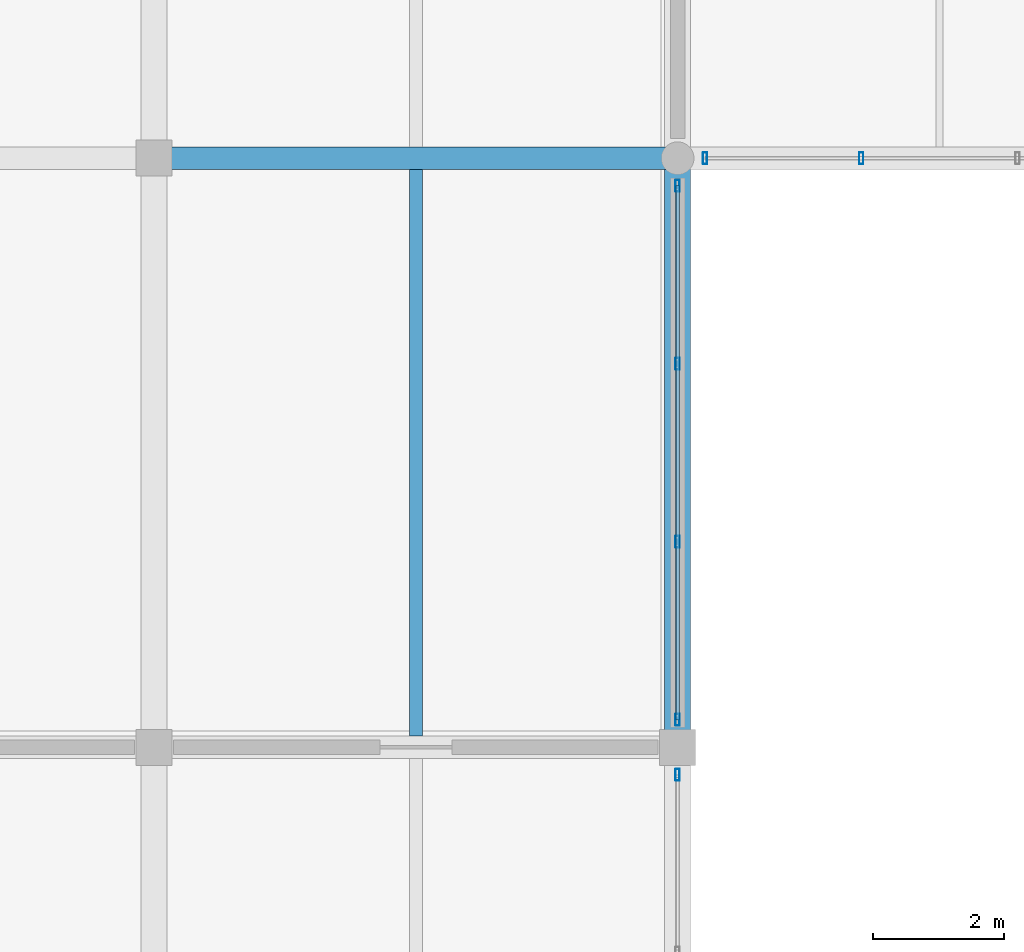
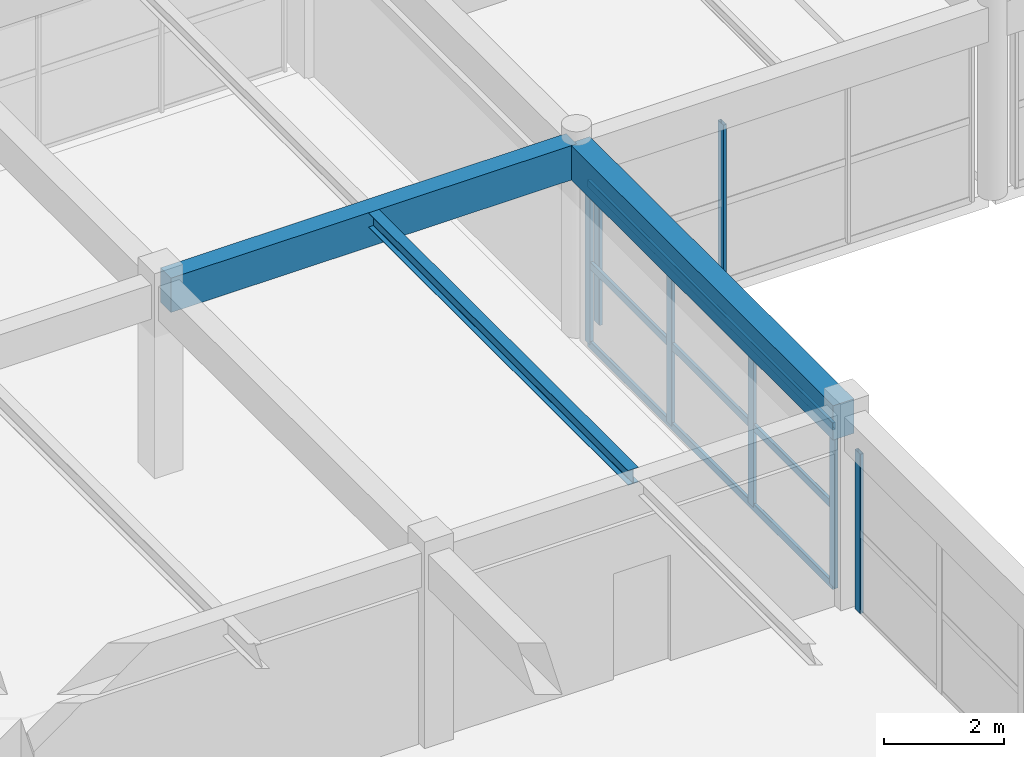
# One storey, part 12 of 63: 10 members, 3 beams, 3 elements without a shape of their own.
"""IFC4 building model written with IfcOpenShell, lengths in metres."""

from ifc_helpers import new_model, si_unit, direction, frame, origin, origin_2d, place, context, subcontext, project, spatial, rectangle, hollow_rectangle, i_section, extrude, material, material_profile, profile_set, type_object, element, aggregate, save


model = new_model("IFC4")

# Units and contexts
model_context = context("Model", 3, precision=1e-05, world=origin(), true_north=direction((0.0, 1.0)))
body_context = subcontext(model_context, "Body", "Model", "MODEL_VIEW")
ifc_project = project(units=[si_unit("LENGTHUNIT", "METRE"), si_unit("AREAUNIT", "SQUARE_METRE"), si_unit("VOLUMEUNIT", "CUBIC_METRE"), si_unit("PLANEANGLEUNIT", "RADIAN"), si_unit("MASSUNIT", "GRAM", prefix="KILO")], contexts=[model_context])

# Site, building, storey
site_placement = place(None, origin())
site = spatial("IfcSite", under=ifc_project, at=site_placement, CompositionType="ELEMENT")
building_placement = place(site_placement, origin())
building = spatial("IfcBuilding", under=site, at=building_placement, Name="Varnabhumi Central Station", CompositionType="ELEMENT")
storey_placement = place(building_placement, frame((0.0, 0.0, 20.39990234375)))
storey = spatial("IfcBuildingStorey", under=building, at=storey_placement, Name="L04", CompositionType="ELEMENT", Elevation=20.39990234375)

# Beams
ifc_material_1 = material(Name="Concrete M40", Category="concrete")
ifc_material_profile_1 = material_profile(ifc_material_1, rectangle(XDim=0.35009765625, YDim=0.699951171875, at=origin_2d()), Name="Concrete M40", Category="concrete")
ifc_profile_set_1 = profile_set([ifc_material_profile_1], Name="Concrete M40")
beam_type_1 = type_object("IfcBeamType", Name="BM-RC-350x700", PredefinedType="BEAM", material=ifc_profile_set_1)
beam_1_placement = place(storey_placement, frame((104.10009765625, 27.0, 3.570068359375), z_axis=(1.0, 0.0, 0.0), x_axis=(0.0, 1.0, 0.0)))
element("IfcBeam", 1, at=beam_1_placement, inside=storey, type_object=beam_type_1, Name="Beam L04-D:14-15", PredefinedType="BEAM", context=body_context, shape_type="SweptSolid", body=[
    extrude(rectangle(XDim=0.35009765625, YDim=0.699951171875, at=origin_2d()), origin(), (0.0, 0.0, 1.0), 7.7998046875),
])
ifc_material_profile_2 = material_profile(ifc_material_1, rectangle(XDim=0.39990234375, YDim=0.699951171875, at=origin_2d()), Name="Concrete M40", Category="concrete")
ifc_profile_set_2 = profile_set([ifc_material_profile_2], Name="Concrete M40")
beam_type_2 = type_object("IfcBeamType", Name="BM-RC-700x400", PredefinedType="BEAM", material=ifc_profile_set_2)
beam_2_placement = place(storey_placement, frame((112.0, 18.10009765625, 3.570068359375), z_axis=(0.0, 1.0, 0.0), x_axis=(-1.0, 0.0, 0.0)))
element("IfcBeam", 2, at=beam_2_placement, inside=storey, type_object=beam_type_2, Name="Beam L04-15:C-D", PredefinedType="BEAM", context=body_context, shape_type="SweptSolid", body=[
    extrude(rectangle(XDim=0.39990234375, YDim=0.699951171875, at=origin_2d()), origin(), (0.0, 0.0, 1.0), 8.7998046875),
])
ifc_material_2 = material(Name="Structural steel E350", Category="steel")
ifc_material_profile_3 = material_profile(ifc_material_2, i_section(OverallWidth=0.199951171875, OverallDepth=0.300048828125, WebThickness=0.00732421875, FlangeThickness=0.010009765625, FilletRadius=0.010986328125, at=origin_2d()), Name="Structural steel E350", Category="steel")
ifc_profile_set_3 = profile_set([ifc_material_profile_3], Name="Structural steel E350")
beam_type_3 = type_object("IfcBeamType", Name="BM-STL-ISWB300", PredefinedType="JOIST", material=ifc_profile_set_3)
beam_3_placement = place(storey_placement, frame((108.0, 18.175048828125, 3.77001953125), z_axis=(0.0, 1.0, 0.0), x_axis=(-1.0, 0.0, 0.0)))
element("IfcBeam", 3, at=beam_3_placement, inside=storey, type_object=beam_type_3, Name="Secondary Joist L04-14/15:C-D", PredefinedType="JOIST", context=body_context, shape_type="SweptSolid", body=[
    extrude(i_section(OverallWidth=0.199951171875, OverallDepth=0.300048828125, WebThickness=0.00732421875, FlangeThickness=0.010009765625, FilletRadius=0.010986328125, at=origin_2d()), origin(), (0.0, 0.0, 1.0), 8.64990234375),
])

# Curtain wall, member
ifc_material_3 = material(Name="Anodised aluminium 6063-T6", Category="aluminium")
curtain_wall_type = type_object("IfcCurtainWallType", Name="CW-PATIO-LOGGIA-L3", PredefinedType="NOTDEFINED", material=ifc_material_3)
curtain_wall_1_placement = place(storey_placement, origin())
curtain_wall_1 = element("IfcCurtainWall", 4, at=curtain_wall_1_placement, inside=storey, type_object=curtain_wall_type, Name="Curtain Wall CW-SP4E1", PredefinedType="NOTDEFINED")
ifc_material_profile_4 = material_profile(ifc_material_3, hollow_rectangle(XDim=0.06494140625, YDim=0.179931640625, WallThickness=0.00390625, InnerFilletRadius=0.001953125, OuterFilletRadius=0.006103515625, at=origin_2d()), Name="Anodised aluminium 6063-T6", Category="aluminium")
ifc_profile_set_4 = profile_set([ifc_material_profile_4], Name="Anodised aluminium 6063-T6")
member_type_1 = type_object("IfcMemberType", Name="CW-MUL-180", PredefinedType="MULLION", material=ifc_profile_set_4)
member_1_placement = place(storey_placement, frame((112.0, 17.580078125, 0.0), z_axis=(0.0, 0.0, 1.0), x_axis=(1.0, 0.0, 0.0)))
member_1 = element("IfcMember", 5, at=member_1_placement, type_object=member_type_1, Name="Curtain Wall Mullion CW-SP4E1-M4", PredefinedType="MULLION", context=body_context, shape_type="SweptSolid", body=[
    extrude(hollow_rectangle(XDim=0.06494140625, YDim=0.179931640625, WallThickness=0.00390625, InnerFilletRadius=0.001953125, OuterFilletRadius=0.006103515625, at=origin_2d()), origin(), (0.0, 0.0, 1.0), 3.239990234375),
])
aggregate(curtain_wall_1, [member_1])

# Curtain wall, members
curtain_wall_2_placement = place(storey_placement, origin())
curtain_wall_2 = element("IfcCurtainWall", 6, at=curtain_wall_2_placement, inside=storey, type_object=curtain_wall_type, Name="Curtain Wall CW-SP4E2", PredefinedType="NOTDEFINED")
member_2_placement = place(storey_placement, frame((112.0, 18.419921875, 0.0), z_axis=(0.0, 0.0, 1.0), x_axis=(1.0, 0.0, 0.0)))
member_2 = element("IfcMember", 7, at=member_2_placement, type_object=member_type_1, Name="Curtain Wall Mullion CW-SP4E2-M1", PredefinedType="MULLION", context=body_context, shape_type="SweptSolid", body=[
    extrude(hollow_rectangle(XDim=0.06494140625, YDim=0.179931640625, WallThickness=0.00390625, InnerFilletRadius=0.001953125, OuterFilletRadius=0.006103515625, at=origin_2d()), origin(), (0.0, 0.0, 1.0), 3.239990234375),
])
member_3_placement = place(storey_placement, frame((112.0, 21.139892578125, 0.0), z_axis=(0.0, 0.0, 1.0), x_axis=(1.0, 0.0, 0.0)))
member_3 = element("IfcMember", 8, at=member_3_placement, type_object=member_type_1, Name="Curtain Wall Mullion CW-SP4E2-M2", PredefinedType="MULLION", context=body_context, shape_type="SweptSolid", body=[
    extrude(hollow_rectangle(XDim=0.06494140625, YDim=0.179931640625, WallThickness=0.00390625, InnerFilletRadius=0.001953125, OuterFilletRadius=0.006103515625, at=origin_2d()), origin(), (0.0, 0.0, 1.0), 3.239990234375),
])
member_4_placement = place(storey_placement, frame((112.0, 23.860107421875, 0.0), z_axis=(0.0, 0.0, 1.0), x_axis=(1.0, 0.0, 0.0)))
member_4 = element("IfcMember", 9, at=member_4_placement, type_object=member_type_1, Name="Curtain Wall Mullion CW-SP4E2-M3", PredefinedType="MULLION", context=body_context, shape_type="SweptSolid", body=[
    extrude(hollow_rectangle(XDim=0.06494140625, YDim=0.179931640625, WallThickness=0.00390625, InnerFilletRadius=0.001953125, OuterFilletRadius=0.006103515625, at=origin_2d()), origin(), (0.0, 0.0, 1.0), 3.239990234375),
])
member_5_placement = place(storey_placement, frame((112.0, 26.580078125, 0.0), z_axis=(0.0, 0.0, 1.0), x_axis=(1.0, 0.0, 0.0)))
member_5 = element("IfcMember", 10, at=member_5_placement, type_object=member_type_1, Name="Curtain Wall Mullion CW-SP4E2-M4", PredefinedType="MULLION", context=body_context, shape_type="SweptSolid", body=[
    extrude(hollow_rectangle(XDim=0.06494140625, YDim=0.179931640625, WallThickness=0.00390625, InnerFilletRadius=0.001953125, OuterFilletRadius=0.006103515625, at=origin_2d()), origin(), (0.0, 0.0, 1.0), 3.239990234375),
])

curtain_wall_3_placement = place(storey_placement, origin())
curtain_wall_3 = element("IfcCurtainWall", 11, at=curtain_wall_3_placement, inside=storey, type_object=curtain_wall_type, Name="Curtain Wall CW-SP4N1", PredefinedType="NOTDEFINED")
member_6_placement = place(storey_placement, frame((112.419921875, 27.0, 0.0), z_axis=(0.0, 0.0, 1.0), x_axis=(1.0, 0.0, 0.0)))
member_6 = element("IfcMember", 12, at=member_6_placement, type_object=member_type_1, Name="Curtain Wall Mullion CW-SP4N1-M1", PredefinedType="MULLION", context=body_context, shape_type="SweptSolid", body=[
    extrude(hollow_rectangle(XDim=0.06494140625, YDim=0.179931640625, WallThickness=0.00390625, InnerFilletRadius=0.001953125, OuterFilletRadius=0.006103515625, at=origin_2d()), origin(), (0.0, 0.0, 1.0), 3.239990234375),
])
member_7_placement = place(storey_placement, frame((114.806640625, 27.0, 0.0), z_axis=(0.0, 0.0, 1.0), x_axis=(1.0, 0.0, 0.0)))
member_7 = element("IfcMember", 13, at=member_7_placement, type_object=member_type_1, Name="Curtain Wall Mullion CW-SP4N1-M2", PredefinedType="MULLION", context=body_context, shape_type="SweptSolid", body=[
    extrude(hollow_rectangle(XDim=0.06494140625, YDim=0.179931640625, WallThickness=0.00390625, InnerFilletRadius=0.001953125, OuterFilletRadius=0.006103515625, at=origin_2d()), origin(), (0.0, 0.0, 1.0), 3.239990234375),
])
aggregate(curtain_wall_3, [member_6, member_7])

# Member
ifc_material_profile_5 = material_profile(ifc_material_3, hollow_rectangle(XDim=0.06005859375, YDim=0.14990234375, WallThickness=0.00390625, InnerFilletRadius=0.001953125, OuterFilletRadius=0.006103515625, at=origin_2d()), Name="Anodised aluminium 6063-T6", Category="aluminium")
ifc_profile_set_5 = profile_set([ifc_material_profile_5], Name="Anodised aluminium 6063-T6")
member_type_2 = type_object("IfcMemberType", Name="CW-TR-150", PredefinedType="USERDEFINED", material=ifc_profile_set_5)
member_8_placement = place(storey_placement, frame((112.0, 18.419921875, 0.0), z_axis=(0.0, 1.0, 0.0), x_axis=(-1.0, 0.0, 0.0)))
member_8 = element("IfcMember", 14, at=member_8_placement, type_object=member_type_2, Name="Curtain Wall Transom CW-SP4E2-T1", ObjectType="TRANSOM", PredefinedType="USERDEFINED", context=body_context, shape_type="SweptSolid", body=[
    extrude(hollow_rectangle(XDim=0.06005859375, YDim=0.14990234375, WallThickness=0.00390625, InnerFilletRadius=0.001953125, OuterFilletRadius=0.006103515625, at=origin_2d()), origin(), (0.0, 0.0, 1.0), 8.16015625),
])

member_9_placement = place(storey_placement, frame((112.0, 18.419921875, 1.6201171875), z_axis=(0.0, 1.0, 0.0), x_axis=(-1.0, 0.0, 0.0)))
member_9 = element("IfcMember", 15, at=member_9_placement, type_object=member_type_2, Name="Curtain Wall Transom CW-SP4E2-T2", ObjectType="TRANSOM", PredefinedType="USERDEFINED", context=body_context, shape_type="SweptSolid", body=[
    extrude(hollow_rectangle(XDim=0.06005859375, YDim=0.14990234375, WallThickness=0.00390625, InnerFilletRadius=0.001953125, OuterFilletRadius=0.006103515625, at=origin_2d()), origin(), (0.0, 0.0, 1.0), 8.16015625),
])

member_10_placement = place(storey_placement, frame((112.0, 18.419921875, 3.239990234375), z_axis=(0.0, 1.0, 0.0), x_axis=(-1.0, 0.0, 0.0)))
member_10 = element("IfcMember", 16, at=member_10_placement, type_object=member_type_2, Name="Curtain Wall Transom CW-SP4E2-T3", ObjectType="TRANSOM", PredefinedType="USERDEFINED", context=body_context, shape_type="SweptSolid", body=[
    extrude(hollow_rectangle(XDim=0.06005859375, YDim=0.14990234375, WallThickness=0.00390625, InnerFilletRadius=0.001953125, OuterFilletRadius=0.006103515625, at=origin_2d()), origin(), (0.0, 0.0, 1.0), 8.16015625),
])

aggregate(curtain_wall_2, [member_2, member_3, member_4, member_5, member_8, member_9, member_10])

save(model, "model.ifc")
